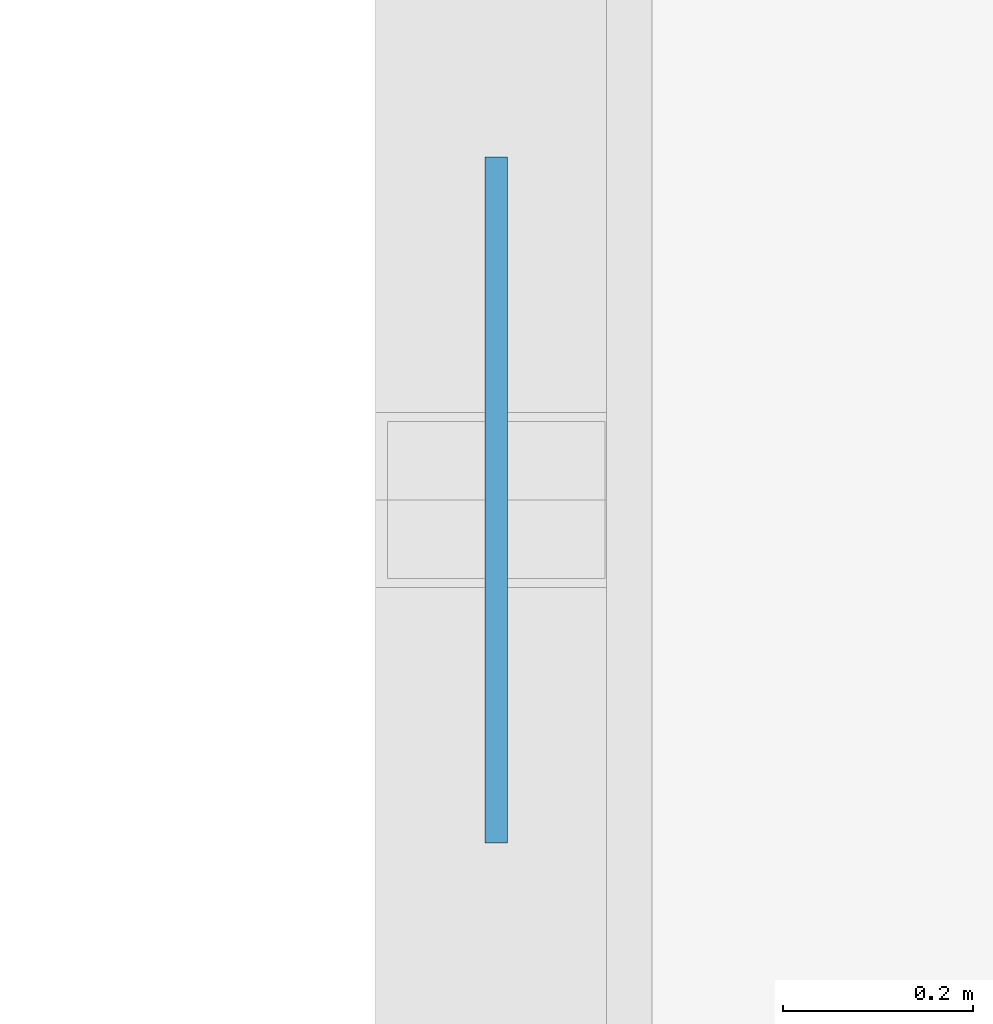
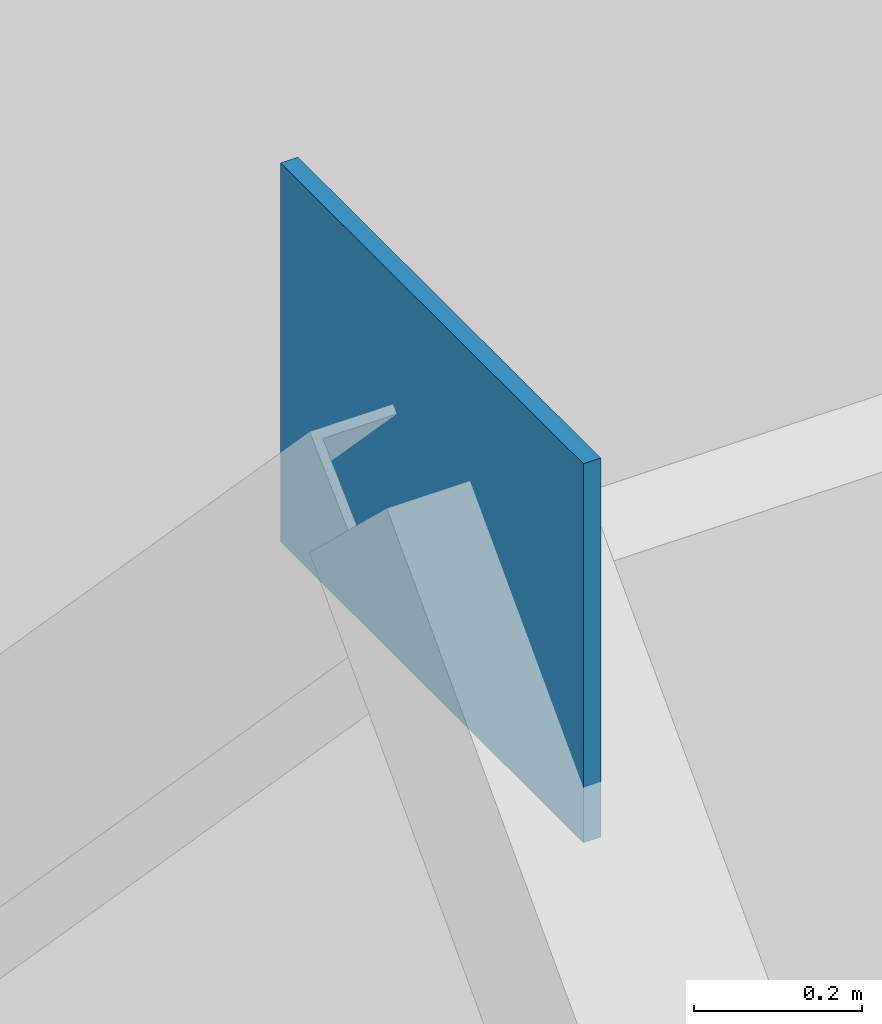
# One storey, part 38 of 52: 1 plate.
"""IFC4 building model written with IfcOpenShell, lengths in metres."""

import ifcopenshell
import ifcopenshell.guid

model = None  # the IFC model being written
_history = None  # IfcOwnerHistory: only IFC2X3 demands one
_inside = {}  # id of a spatial element -> (the spatial element, [elements in it])
_under = {}  # id of a project, library or spatial element -> (it, [spatial elements below it])
_declared = {}  # id of a project -> (the project, [libraries it declares])
_typed = {}  # id of a type object -> (the type object, [elements of that type])
_made_of = {}  # id of a material, layer set ... -> (it, [elements and type objects made of it])


def new_model(schema):
    """Start an empty IFC model of exactly this schema.

    Asked for "IFC4X3", IfcOpenShell would pick the latest addendum, in which some entities
    have other attributes; the version numbers below select the first issue.
    IFC2X3 requires an IfcOwnerHistory on every rooted entity: one is made here for all.
    """
    global model, _history
    if schema == "IFC4X3":
        model = ifcopenshell.file(schema_version=(4, 3, 0, 0))
    else:
        model = ifcopenshell.file(schema=schema)
    _inside.clear()
    _under.clear()
    _declared.clear()
    _typed.clear()
    _made_of.clear()
    _history = None
    if model.schema == "IFC2X3":
        org = make("IfcOrganization", Name="unknown")
        user = make(
            "IfcPersonAndOrganization",
            ThePerson=make("IfcPerson", FamilyName="unknown"),
            TheOrganization=org,
        )
        app = make(
            "IfcApplication",
            ApplicationDeveloper=org,
            Version="unknown",
            ApplicationFullName="unknown",
            ApplicationIdentifier="unknown",
        )
        _history = make(
            "IfcOwnerHistory",
            OwningUser=user,
            OwningApplication=app,
            ChangeAction="ADDED",
            CreationDate=0,
        )
    return model


def make(cls, **values):
    """One entity of the class cls with the attributes given. An attribute that is None is left unset."""
    return model.create_entity(
        cls, **{name: value for name, value in values.items() if value is not None}
    )


def rooted(cls, **values):
    """An entity with a GlobalId (a new one), such as an element, a storey or a relation."""
    return make(cls, GlobalId=ifcopenshell.guid.new(), OwnerHistory=_history, **values)


def si_unit(unit_type, name, prefix=None):
    """IfcSIUnit, for example si_unit("LENGTHUNIT", "METRE", prefix="MILLI")."""
    return make("IfcSIUnit", UnitType=unit_type, Prefix=prefix, Name=name)


def assignment(units):
    """IfcUnitAssignment: the units of a project."""
    return None if units is None else make("IfcUnitAssignment", Units=units)


def point(xyz):
    """IfcCartesianPoint."""
    return None if xyz is None else make("IfcCartesianPoint", Coordinates=xyz)


def direction(xyz):
    """IfcDirection."""
    return None if xyz is None else make("IfcDirection", DirectionRatios=xyz)


def frame(location, z_axis=None, x_axis=None):
    """IfcAxis2Placement3D, a coordinate frame: its origin and axes. An axis left out is left unset."""
    return make(
        "IfcAxis2Placement3D",
        Location=point(location),
        Axis=direction(z_axis),
        RefDirection=direction(x_axis),
    )


def frame_2d(location, x_axis=None):
    """IfcAxis2Placement2D, a coordinate frame in the plane: its origin and x axis."""
    return make(
        "IfcAxis2Placement2D", Location=point(location), RefDirection=direction(x_axis)
    )


def origin():
    """The frame at (0, 0, 0) with its axes left unset."""
    return frame((0.0, 0.0, 0.0))


def origin_2d():
    """The frame at (0, 0) in the plane with its x axis left unset."""
    return frame_2d((0.0, 0.0))


def place(relative_to, where):
    """IfcLocalPlacement: puts the frame where relative to a parent placement (None: the world)."""
    return make(
        "IfcLocalPlacement", PlacementRelTo=relative_to, RelativePlacement=where
    )


def context(
    kind, dimensions, precision=None, world=None, true_north=None, identifier=None
):
    """IfcGeometricRepresentationContext, for example the 3D "Model" context."""
    return make(
        "IfcGeometricRepresentationContext",
        ContextIdentifier=identifier,
        ContextType=kind,
        CoordinateSpaceDimension=dimensions,
        Precision=precision,
        WorldCoordinateSystem=world,
        TrueNorth=true_north,
    )


def subcontext(parent, identifier, kind, view, scale=None):
    """IfcGeometricRepresentationSubContext, for example "Body" below "Model"."""
    return make(
        "IfcGeometricRepresentationSubContext",
        ContextIdentifier=identifier,
        ContextType=kind,
        ParentContext=parent,
        TargetScale=scale,
        TargetView=view,
    )


def project(units=None, contexts=None):
    """IfcProject with its units and contexts."""
    return rooted(
        "IfcProject",
        Name="project",
        RepresentationContexts=contexts,
        UnitsInContext=assignment(units),
    )


def spatial(cls, under=None, at=None, **own):
    """A site, building, storey or space (cls), placed at a placement, below another one or the project."""
    s = rooted(cls, ObjectPlacement=at, **own)
    if under is not None:
        _under.setdefault(under.id(), (under, []))[1].append(s)
    return s


def profile(cls, at=None, kind="AREA", **sizes):
    """A parametric profile (cls). Its sizes go by their IFC names, for example OverallWidth=200.0."""
    return make(cls, ProfileType=kind, Position=at, **sizes)


def rectangle(**sizes):
    """IfcRectangleProfileDef."""
    return profile("IfcRectangleProfileDef", **sizes)


def extrude(swept, where, along, depth):
    """IfcExtrudedAreaSolid: the profile swept, set in the frame where, extruded along a direction by depth."""
    return make(
        "IfcExtrudedAreaSolid",
        SweptArea=swept,
        Position=where,
        ExtrudedDirection=direction(along),
        Depth=depth,
    )


def shape(context_of_items, identifier, shape_type, items):
    """IfcShapeRepresentation: the items that make up one representation, for example the "Body"."""
    return make(
        "IfcShapeRepresentation",
        ContextOfItems=context_of_items,
        RepresentationIdentifier=identifier,
        RepresentationType=shape_type,
        Items=items,
    )


def material(Name=None, Category=None):
    """IfcMaterial."""
    return make("IfcMaterial", Name=Name, Category=Category)


def layer(
    of_material, thickness, ventilated=None, Name=None, Category=None, Priority=None
):
    """IfcMaterialLayer: one layer of a wall or slab, of a material (None: an air gap)."""
    return make(
        "IfcMaterialLayer",
        Material=of_material,
        LayerThickness=thickness,
        IsVentilated=ventilated,
        Name=Name,
        Category=Category,
        Priority=Priority,
    )


def layer_set(layers, Name=None):
    """IfcMaterialLayerSet."""
    return make("IfcMaterialLayerSet", MaterialLayers=layers, LayerSetName=Name)


def made_of(thing, what):
    """Note that an element or type object is made of a material, layer set ...; save() writes the relation."""
    if what is not None:
        _made_of.setdefault(what.id(), (what, []))[1].append(thing)
    return thing


def type_object(cls, material=None, **own):
    """A type object (cls), such as IfcWallType, which elements share."""
    return made_of(rooted(cls, **own), material)


def element(
    cls,
    number,
    at=None,
    inside=None,
    cuts=None,
    type_object=None,
    material=None,
    context=None,
    identifier="Body",
    shape_type=None,
    held_by="IfcProductDefinitionShape",
    body=None,
    shapes=None,
    **own,
):
    """One element of the class cls, such as IfcWall. Its Tag is "e" and its number.

    at: its placement. inside: the storey or other place that contains it. cuts: it is an
    opening in that element (IfcRelVoidsElement). A single representation is given by context,
    identifier, shape_type and body (its items); several are given by shapes. held_by: the class
    of the entity that holds the representations. save() writes the other relations.
    """
    e = rooted(cls, Tag="e%d" % number, ObjectPlacement=at, **own)
    if body is not None:
        shapes = [shape(context, identifier, shape_type, body)]
    if shapes is not None:
        e.Representation = make(held_by, Representations=shapes)
    if inside is not None:
        _inside.setdefault(inside.id(), (inside, []))[1].append(e)
    if cuts is not None:
        rooted(
            "IfcRelVoidsElement", RelatingBuildingElement=cuts, RelatedOpeningElement=e
        )
    if type_object is not None:
        _typed.setdefault(type_object.id(), (type_object, []))[1].append(e)
    return made_of(e, material)


def aggregate(whole, parts):
    """IfcRelAggregates: a whole, such as a stair, and the parts it consists of."""
    return rooted("IfcRelAggregates", RelatingObject=whole, RelatedObjects=parts)


def save(model, path):
    """Write the relations noted so far, then the file.

    IfcRelAggregates (storeys below a building ...), IfcRelContainedInSpatialStructure (elements
    in a storey), IfcRelDefinesByType, IfcRelAssociatesMaterial and IfcRelDeclares: one each for
    every whole, place, type object, material and project.
    """
    for whole, parts in _under.values():
        aggregate(whole, parts)
    for where, things in _inside.values():
        rooted(
            "IfcRelContainedInSpatialStructure",
            RelatedElements=things,
            RelatingStructure=where,
        )
    for kind, things in _typed.values():
        rooted("IfcRelDefinesByType", RelatedObjects=things, RelatingType=kind)
    for what, things in _made_of.values():
        rooted("IfcRelAssociatesMaterial", RelatedObjects=things, RelatingMaterial=what)
    for by, libraries in _declared.values():
        rooted("IfcRelDeclares", RelatingContext=by, RelatedDefinitions=libraries)
    model.write(path)


model = new_model("IFC4")

# Units and contexts
model_context = context("Model", 3, precision=1e-05, world=origin(), true_north=direction((0.0, 1.0)))
body_context = subcontext(model_context, "Body", "Model", "MODEL_VIEW")
ifc_project = project(units=[si_unit("LENGTHUNIT", "METRE"), si_unit("AREAUNIT", "SQUARE_METRE"), si_unit("VOLUMEUNIT", "CUBIC_METRE"), si_unit("PLANEANGLEUNIT", "RADIAN"), si_unit("MASSUNIT", "GRAM", prefix="KILO")], contexts=[model_context])

# Site, building, storey
site_placement = place(None, origin())
site = spatial("IfcSite", under=ifc_project, at=site_placement, CompositionType="ELEMENT")
building_placement = place(site_placement, origin())
building = spatial("IfcBuilding", under=site, at=building_placement, Name="Lornevale Opera House", CompositionType="ELEMENT")
storey_placement = place(building_placement, frame((0.0, 0.0, 15.0)))
storey = spatial("IfcBuildingStorey", under=building, at=storey_placement, Name="L04", CompositionType="ELEMENT", Elevation=15.0)

# Plate
ifc_material = material(Name="Structural Steel CSA G40.21 Grade 350W (350 MPa)", Category="steel")
ifc_layer = layer(ifc_material, 0.02392578125)
ifc_layer_set = layer_set([ifc_layer], Name="Structural Steel CSA G40.21 Grade 350W (350 MPa)")
plate_type = type_object("IfcPlateType", Name="Chevron Brace Gusset 720x550x24", PredefinedType="USERDEFINED", material=ifc_layer_set)
plate_placement = place(storey_placement, frame((96.0, 79.800048828125, 4.0048828125), z_axis=(0.0, 0.0, 1.0), x_axis=(0.0, 1.0, 0.0)))
element("IfcPlate", 1, at=plate_placement, inside=storey, type_object=plate_type, Name="Chevron Brace Gusset PT-0062", ObjectType="GUSSET PLATE", PredefinedType="USERDEFINED", context=body_context, shape_type="SweptSolid", body=[
    extrude(rectangle(XDim=0.719970703125, YDim=0.02392578125, at=origin_2d()), origin(), (0.0, 0.0, 1.0), 0.550048828125),
])

save(model, "model.ifc")
